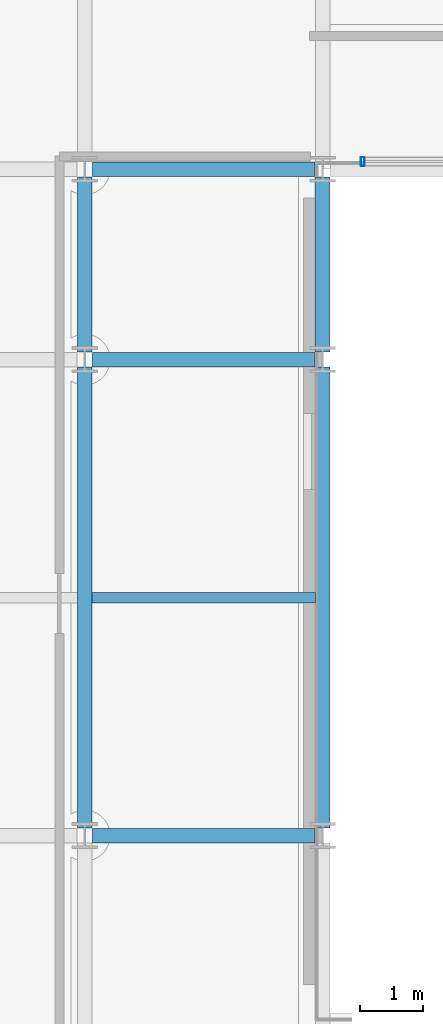
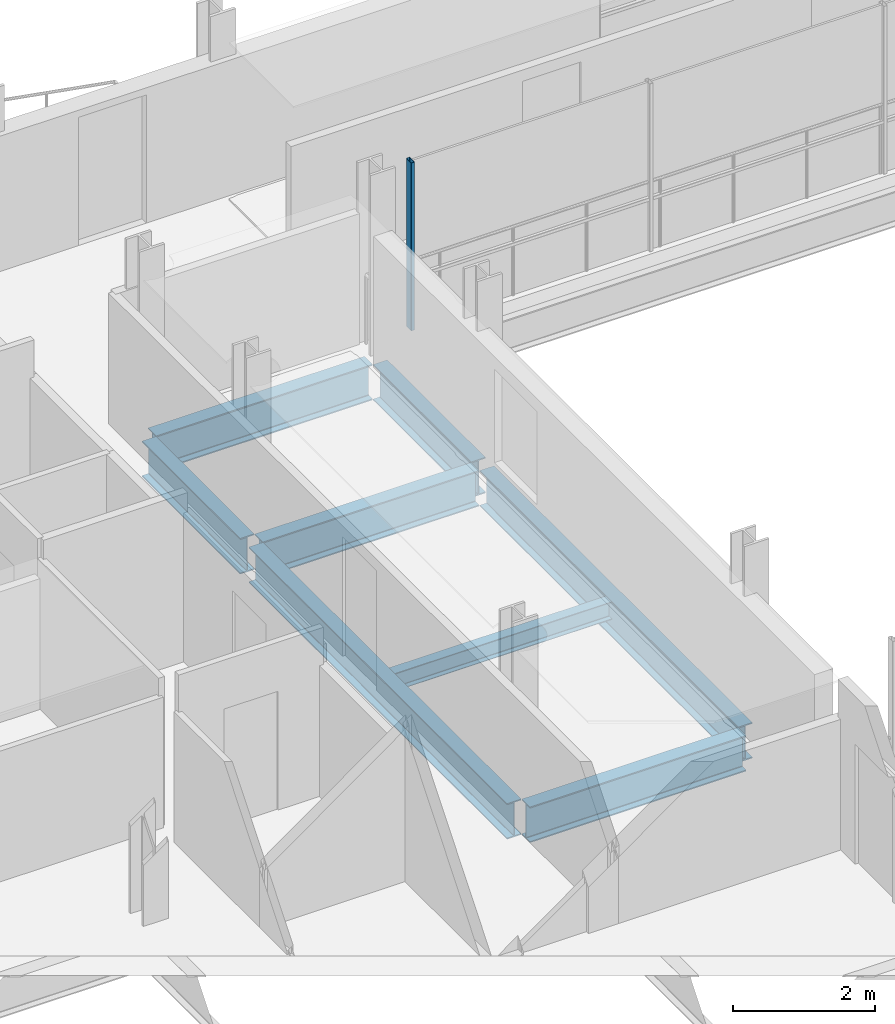
# One storey, part 10 of 40: 8 beams, 1 member, 1 element without a shape of its own.
"""IFC4 building model written with IfcOpenShell, lengths in metres."""

from ifc_helpers import new_model, si_unit, direction, frame, origin, origin_2d, place, context, subcontext, project, spatial, hollow_rectangle, i_section, extrude, material, layer, layer_set, material_profile, profile_set, type_object, element, aggregate, save


model = new_model("IFC4")

# Units and contexts
model_context = context("Model", 3, precision=1e-05, world=origin(), true_north=direction((0.0, 1.0)))
body_context = subcontext(model_context, "Body", "Model", "MODEL_VIEW")
ifc_project = project(units=[si_unit("LENGTHUNIT", "METRE"), si_unit("AREAUNIT", "SQUARE_METRE"), si_unit("VOLUMEUNIT", "CUBIC_METRE"), si_unit("PLANEANGLEUNIT", "RADIAN"), si_unit("MASSUNIT", "GRAM", prefix="KILO")], contexts=[model_context])

# Site, building, storey
site_placement = place(None, origin())
site = spatial("IfcSite", under=ifc_project, at=site_placement, CompositionType="ELEMENT")
building_placement = place(site_placement, origin())
building = spatial("IfcBuilding", under=site, at=building_placement, Name="Brevholm Reach", CompositionType="ELEMENT")
storey_placement = place(building_placement, frame((0.0, 0.0, 160.39990234375)))
storey = spatial("IfcBuildingStorey", under=building, at=storey_placement, Name="L48", CompositionType="ELEMENT", Elevation=160.39990234375)

# Beams
ifc_material_1 = material(Name="Structural Steel S355J2", Category="steel")
ifc_material_profile_1 = material_profile(ifc_material_1, i_section(OverallWidth=0.1650390625, OverallDepth=0.303466796875, WebThickness=0.006103515625, FlangeThickness=0.01025390625, FilletRadius=0.0087890625, at=origin_2d()), Name="UKB 305x165x40")
ifc_profile_set_1 = profile_set([ifc_material_profile_1], Name="Structural Steel S355J2")
beam_type_1 = type_object("IfcBeamType", Name="BM-B305", PredefinedType="BEAM", material=ifc_profile_set_1)
beam_1_placement = place(storey_placement, frame((18.114501953125, 19.75, -0.37158203125), z_axis=(1.0, 0.0, 0.0), x_axis=(0.0, 1.0, 0.0)))
element("IfcBeam", 1, at=beam_1_placement, inside=storey, type_object=beam_type_1, Name="L48 Composite Secondary Floor Beam", PredefinedType="BEAM", context=body_context, shape_type="SweptSolid", body=[
    extrude(i_section(OverallWidth=0.1650390625, OverallDepth=0.303466796875, WebThickness=0.006103515625, FlangeThickness=0.01025390625, FilletRadius=0.0087890625, at=origin_2d()), origin(), (0.0, 0.0, 1.0), 3.52099609375),
])
ifc_material_2 = material(Name="Structural Steel S355J2", Category="steel")
ifc_material_profile_2 = material_profile(ifc_material_2, i_section(OverallWidth=0.22900390625, OverallDepth=0.6123046875, WebThickness=0.011962890625, FlangeThickness=0.01953125, FilletRadius=0.0126953125, at=origin_2d()), Name="UKB 610x229x125")
ifc_profile_set_2 = profile_set([ifc_material_profile_2], Name="Structural Steel S355J2")
beam_type_2 = type_object("IfcBeamType", Name="BM-SP610", PredefinedType="SPANDREL", material=ifc_profile_set_2)
for number, where, z_axis, x_axis, name in (
    (2, (18.1201171875, 16.0, -0.526123046875), (1.0, 0.0, 0.0), (0.0, 1.0, 0.0), "L48 SP-01 Framing Beam"),
    (3, (18.1201171875, 23.5, -0.526123046875), (1.0, 0.0, 0.0), (0.0, 1.0, 0.0), "L48 SP-01 Framing Beam"),
    (4, (18.1201171875, 26.5, -0.526123046875), (1.0, 0.0, 0.0), (0.0, 1.0, 0.0), "L48 SP-01 Framing Beam"),
):
    element("IfcBeam", number, at=place(storey_placement, frame(where, z_axis=z_axis, x_axis=x_axis)), inside=storey, type_object=beam_type_2, Name=name, PredefinedType="SPANDREL", context=body_context, shape_type="SweptSolid", body=[
        extrude(i_section(OverallWidth=0.22900390625, OverallDepth=0.6123046875, WebThickness=0.011962890625, FlangeThickness=0.01953125, FilletRadius=0.0126953125, at=origin_2d()), origin(), (0.0, 0.0, 1.0), 3.509765625),
    ])
beam_2_placement = place(storey_placement, frame((18.0, 16.1201171875, -0.526123046875), z_axis=(0.0, 1.0, 0.0), x_axis=(-1.0, 0.0, 0.0)))
element("IfcBeam", 5, at=beam_2_placement, inside=storey, type_object=beam_type_2, Name="L48 SP-01 Framing Beam", PredefinedType="SPANDREL", context=body_context, shape_type="SweptSolid", body=[
    extrude(i_section(OverallWidth=0.22900390625, OverallDepth=0.6123046875, WebThickness=0.011962890625, FlangeThickness=0.01953125, FilletRadius=0.0126953125, at=origin_2d()), origin(), (0.0, 0.0, 1.0), 7.259765625),
])
beam_3_placement = place(storey_placement, frame((18.0, 23.6201171875, -0.526123046875), z_axis=(0.0, 1.0, 0.0), x_axis=(-1.0, 0.0, 0.0)))
element("IfcBeam", 6, at=beam_3_placement, inside=storey, type_object=beam_type_2, Name="L48 SP-01 Framing Beam", PredefinedType="SPANDREL", context=body_context, shape_type="SweptSolid", body=[
    extrude(i_section(OverallWidth=0.22900390625, OverallDepth=0.6123046875, WebThickness=0.011962890625, FlangeThickness=0.01953125, FilletRadius=0.0126953125, at=origin_2d()), origin(), (0.0, 0.0, 1.0), 2.759765625),
])
beam_4_placement = place(storey_placement, frame((21.75, 16.1201171875, -0.526123046875), z_axis=(0.0, 1.0, 0.0), x_axis=(-1.0, 0.0, 0.0)))
element("IfcBeam", 7, at=beam_4_placement, inside=storey, type_object=beam_type_2, Name="L48 SP-01 Framing Beam", PredefinedType="SPANDREL", context=body_context, shape_type="SweptSolid", body=[
    extrude(i_section(OverallWidth=0.22900390625, OverallDepth=0.6123046875, WebThickness=0.011962890625, FlangeThickness=0.01953125, FilletRadius=0.0126953125, at=origin_2d()), origin(), (0.0, 0.0, 1.0), 7.259765625),
])
beam_5_placement = place(storey_placement, frame((21.75, 23.6201171875, -0.526123046875), z_axis=(0.0, 1.0, 0.0), x_axis=(-1.0, 0.0, 0.0)))
element("IfcBeam", 8, at=beam_5_placement, inside=storey, type_object=beam_type_2, Name="L48 SP-01 Framing Beam", PredefinedType="SPANDREL", context=body_context, shape_type="SweptSolid", body=[
    extrude(i_section(OverallWidth=0.22900390625, OverallDepth=0.6123046875, WebThickness=0.011962890625, FlangeThickness=0.01953125, FilletRadius=0.0126953125, at=origin_2d()), origin(), (0.0, 0.0, 1.0), 2.759765625),
])

# Curtain wall, member
ifc_material_3 = material(Name="Dark Anodised Aluminium 6063-T6 and Solar-Control Glass", Category="aluminium")
ifc_layer = layer(ifc_material_3, 0.139892578125)
ifc_layer_set = layer_set([ifc_layer], Name="Dark Anodised Aluminium 6063-T6 and Solar-Control Glass")
curtain_wall_type = type_object("IfcCurtainWallType", Name="CW-02", PredefinedType="NOTDEFINED", material=ifc_layer_set)
curtain_wall_placement = place(storey_placement, origin())
curtain_wall = element("IfcCurtainWall", 9, at=curtain_wall_placement, inside=storey, type_object=curtain_wall_type, Name="L48 Curtain Wall CW-02", PredefinedType="NOTDEFINED")
ifc_material_4 = material(Name="Dark Anodised Aluminium 6063-T6", Category="aluminium")
ifc_material_profile_3 = material_profile(ifc_material_4, hollow_rectangle(XDim=0.06005859375, YDim=0.139892578125, WallThickness=0.0048828125, InnerFilletRadius=0.0048828125, OuterFilletRadius=0.010009765625, at=origin_2d()), Name="RHS 140x60x5")
ifc_profile_set_3 = profile_set([ifc_material_profile_3], Name="Dark Anodised Aluminium 6063-T6")
member_type = type_object("IfcMemberType", Name="CWM-140", PredefinedType="MULLION", material=ifc_profile_set_3)
member_placement = place(storey_placement, frame((22.3798828125, 26.6201171875, 0.0), z_axis=(0.0, 0.0, 1.0), x_axis=(-1.0, 0.0, 0.0)))
member = element("IfcMember", 10, at=member_placement, type_object=member_type, Name="CM-140 Mullion 5", PredefinedType="MULLION", context=body_context, shape_type="SweptSolid", body=[
    extrude(hollow_rectangle(XDim=0.06005859375, YDim=0.139892578125, WallThickness=0.0048828125, InnerFilletRadius=0.0048828125, OuterFilletRadius=0.010009765625, at=origin_2d()), origin(), (0.0, 0.0, 1.0), 2.880126953125),
])
aggregate(curtain_wall, [member])

save(model, "model.ifc")
